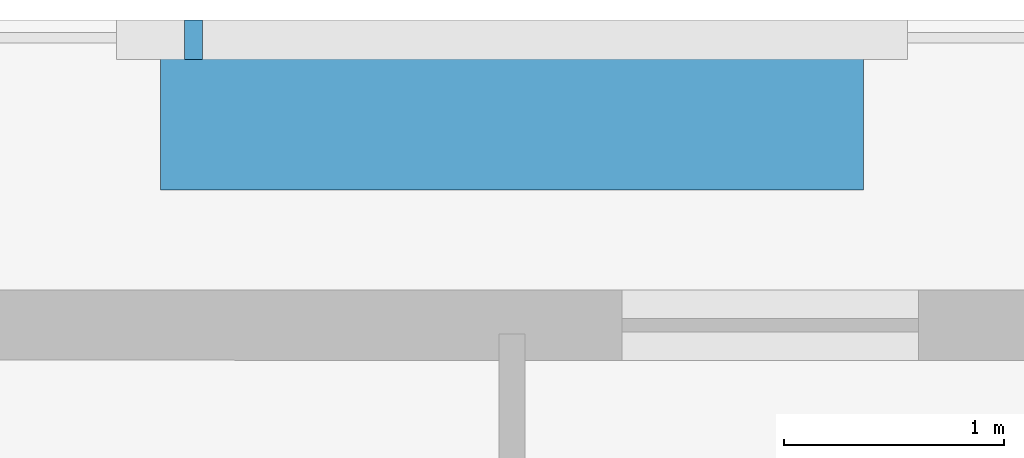
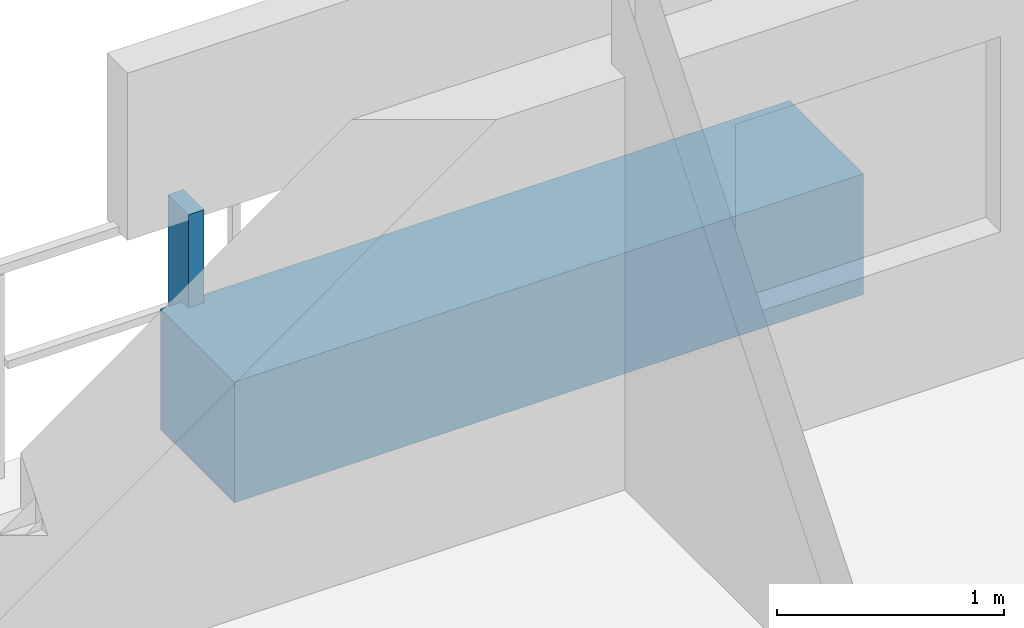
# One storey, part 32 of 36: 2 discrete accessories.
"""IFC4 building model written with IfcOpenShell, lengths in metres."""

from ifc_helpers import new_model, si_unit, direction, frame, origin, origin_2d, place, context, subcontext, project, spatial, rectangle, extrude, material, type_object, element, save


model = new_model("IFC4")

# Units and contexts
model_context = context("Model", 3, precision=1e-05, world=origin(), true_north=direction((0.0, 1.0)))
body_context = subcontext(model_context, "Body", "Model", "MODEL_VIEW")
ifc_project = project(units=[si_unit("LENGTHUNIT", "METRE"), si_unit("AREAUNIT", "SQUARE_METRE"), si_unit("VOLUMEUNIT", "CUBIC_METRE"), si_unit("PLANEANGLEUNIT", "RADIAN"), si_unit("MASSUNIT", "GRAM", prefix="KILO")], contexts=[model_context])

# Site, building, storey
site_placement = place(None, origin())
site = spatial("IfcSite", under=ifc_project, at=site_placement, CompositionType="ELEMENT")
building_placement = place(site_placement, origin())
building = spatial("IfcBuilding", under=site, at=building_placement, Name="Thornwick Lancets Civic Towers", CompositionType="ELEMENT")
storey_placement = place(building_placement, frame((0.0, 0.0, 196.5)))
storey = spatial("IfcBuildingStorey", under=building, at=storey_placement, Name="L52", CompositionType="ELEMENT", Elevation=196.5)

# Discrete accessories
ifc_material_1 = material(Name="Planted terracotta greenery planter", Category="masonry")
discrete_accessory_type_1 = type_object("IfcDiscreteAccessoryType", Name="ACC_PLANTER_BOX", PredefinedType="USERDEFINED", material=ifc_material_1)
discrete_accessory_1_placement = place(storey_placement, frame((88.5, 51.699951171875, 0.0), z_axis=(0.0, 0.0, 1.0), x_axis=(1.0, 0.0, 0.0)))
element("IfcDiscreteAccessory", 1, at=discrete_accessory_1_placement, inside=storey, type_object=discrete_accessory_type_1, Name="L52 Tower B Balcony Greenery Planter N", ObjectType="PLANTER", PredefinedType="USERDEFINED", context=body_context, shape_type="SweptSolid", body=[
    extrude(rectangle(XDim=3.199951171875, YDim=0.64990234375, at=origin_2d()), origin(), (0.0, 0.0, 1.0), 0.64990234375),
])
ifc_material_2 = material(Name="Stainless steel S355", Category="steel")
discrete_accessory_type_2 = type_object("IfcDiscreteAccessoryType", Name="ACC_SCREEN_BRACKET", PredefinedType="BRACKET", material=ifc_material_2)
discrete_accessory_2_placement = place(storey_placement, frame((87.050048828125, 52.06005859375, 0.0), z_axis=(0.0, 0.0, 1.0), x_axis=(1.0, 0.0, 0.0)))
element("IfcDiscreteAccessory", 2, at=discrete_accessory_2_placement, inside=storey, type_object=discrete_accessory_type_2, Name="L52 Tower B Balcony Screen Stanchion Bracket N-1", PredefinedType="BRACKET", context=body_context, shape_type="SweptSolid", body=[
    extrude(rectangle(XDim=0.080078125, YDim=0.179931640625, at=origin_2d()), origin(), (0.0, 0.0, 1.0), 1.14990234375),
])

save(model, "model.ifc")
